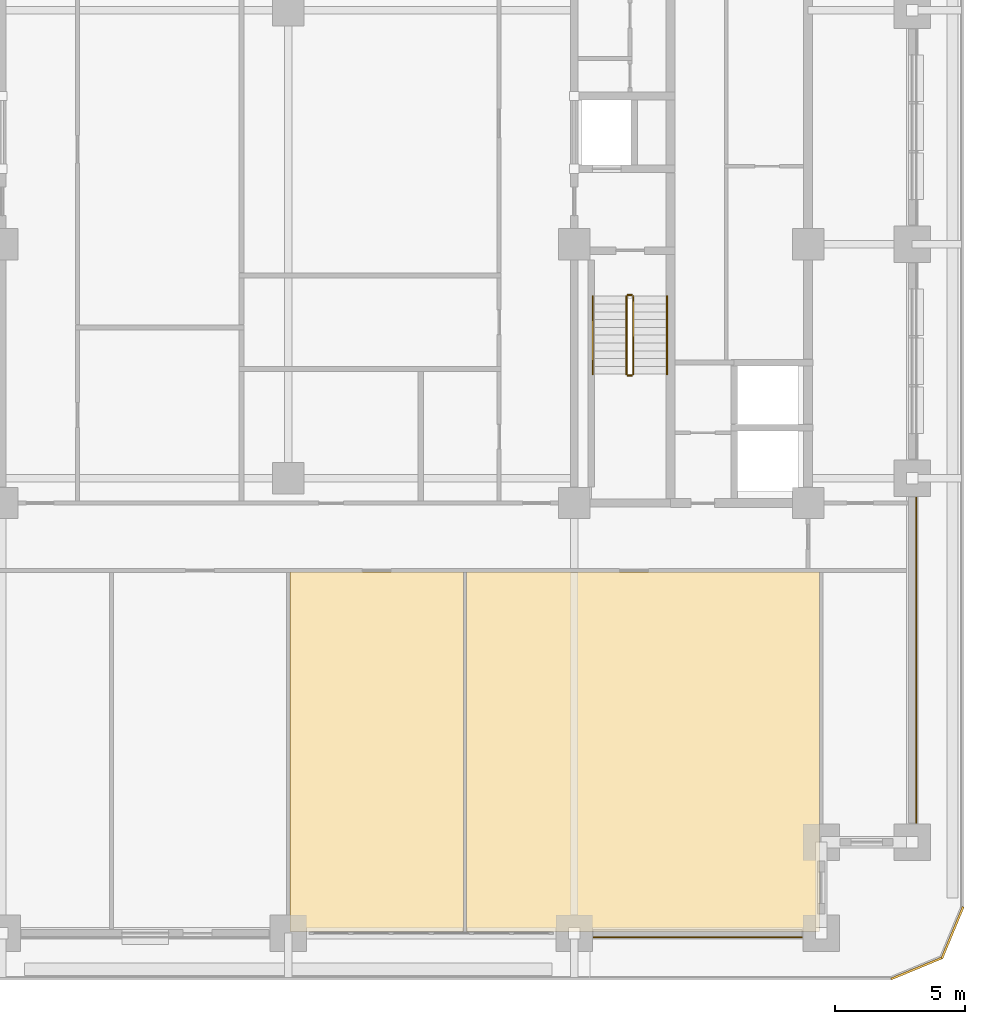
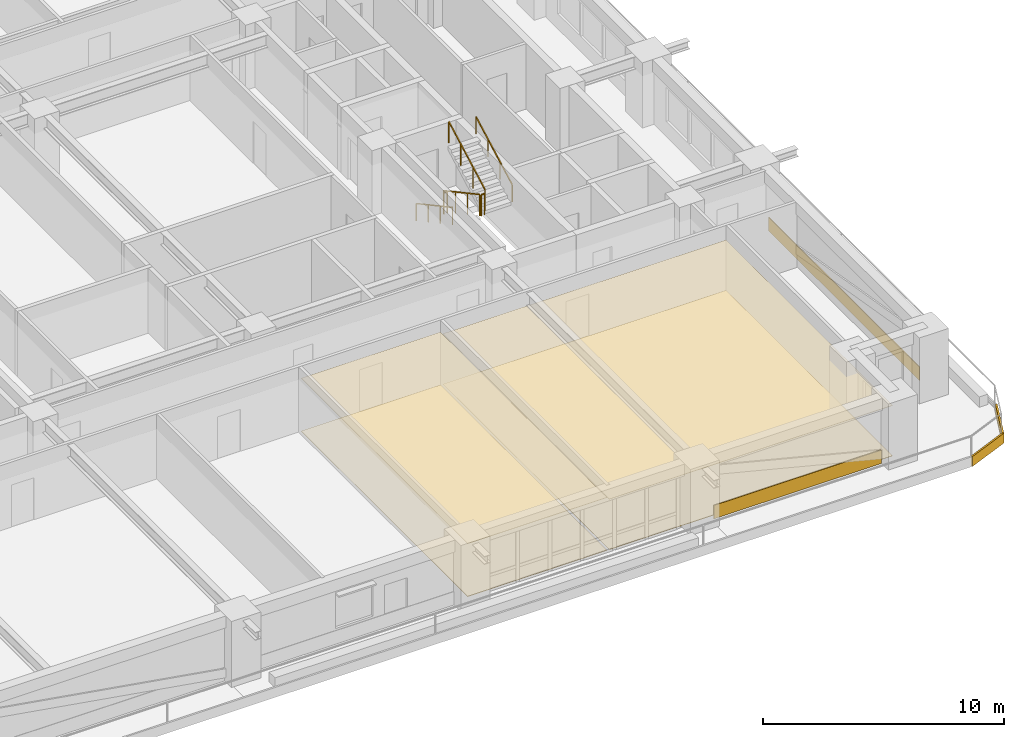
# One storey, part 19 of 20: 8 coverings, 6 railings.
"""IFC4 building model written with IfcOpenShell, lengths in metres."""

from ifc_helpers import new_model, si_unit, direction, frame, frame_2d, origin, origin_2d, place, context, subcontext, project, spatial, polyline, rectangle, outline, extrude, material, layer, layer_set, type_object, element, save


model = new_model("IFC4")

# Units and contexts
model_context = context("Model", 3, precision=1e-05, world=origin(), true_north=direction((0.0, 1.0)))
body_context = subcontext(model_context, "Body", "Model", "MODEL_VIEW")
ifc_project = project(units=[si_unit("LENGTHUNIT", "METRE"), si_unit("AREAUNIT", "SQUARE_METRE"), si_unit("VOLUMEUNIT", "CUBIC_METRE"), si_unit("PLANEANGLEUNIT", "RADIAN"), si_unit("MASSUNIT", "GRAM", prefix="KILO")], contexts=[model_context])

# Site, building, storey
site_placement = place(None, origin())
site = spatial("IfcSite", under=ifc_project, at=site_placement, CompositionType="ELEMENT")
building_placement = place(site_placement, origin())
building = spatial("IfcBuilding", under=site, at=building_placement, Name="Zulmaris Gate Convention Tower", CompositionType="ELEMENT")
storey_placement = place(building_placement, frame((0.0, 0.0, 71.469970703125)))
storey = spatial("IfcBuildingStorey", under=building, at=storey_placement, Name="L17", CompositionType="ELEMENT", Elevation=71.469970703125)

# Coverings
ifc_material_1 = material(Name="Precast concrete C40/50", Category="concrete")
ifc_layer_1 = layer(ifc_material_1, 0.0400390625, Name="Precast concrete C40/50")
ifc_layer_set_1 = layer_set([ifc_layer_1], Name="Precast concrete C40/50")
covering_type_1 = type_object("IfcCoveringType", Name="CLAD-SPANDREL-PRECAST", PredefinedType="CLADDING", material=ifc_layer_set_1)
covering_1_placement = place(storey_placement, frame((11.72998046875, -26.64990234375, 0.0), z_axis=(0.0, 0.0, 1.0), x_axis=(1.0, 0.0, 0.0)))
element("IfcCovering", 1, at=covering_1_placement, inside=storey, type_object=covering_type_1, Name="CLD-L17-S-3_0", PredefinedType="CLADDING", context=body_context, shape_type="SweptSolid", body=[
    extrude(rectangle(XDim=8.0400390625, YDim=0.0400390625, at=frame_2d((4.02001953125, 0.0))), origin(), (0.0, 0.0, 1.0), 0.679931640625),
])
covering_2_placement = place(storey_placement, frame((24.14990234375, -22.27001953125, 0.0), z_axis=(0.0, 0.0, 1.0), x_axis=(0.0, 1.0, 0.0)))
element("IfcCovering", 2, at=covering_2_placement, inside=storey, type_object=covering_type_1, Name="CLD-L17-E-0_0", PredefinedType="CLADDING", context=body_context, shape_type="SweptSolid", body=[
    extrude(rectangle(XDim=12.5400390625, YDim=0.0400390625, at=frame_2d((6.27001953125, 0.0))), origin(), (0.0, 0.0, 1.0), 0.679931640625),
])
ifc_material_2 = material(Name="White Glazed Architectural Precast Concrete C40/50", Category="concrete")
ifc_layer_2 = layer(ifc_material_2, 0.080078125, Name="White Glazed Architectural Precast Concrete C40/50")
ifc_layer_set_2 = layer_set([ifc_layer_2], Name="White Glazed Architectural Precast Concrete C40/50")
covering_type_2 = type_object("IfcCoveringType", Name="CLAD-TRAY-FASCIA", PredefinedType="CLADDING", material=ifc_layer_set_2)
covering_3_placement = place(storey_placement, frame((23.184814453125, -28.262939453125, -0.364990234375), z_axis=(0.0, 0.0, 1.0), x_axis=(0.923873803533, 0.382697263049, 0.0)))
element("IfcCovering", 3, at=covering_3_placement, inside=storey, type_object=covering_type_2, Name="FSC-L17-TR-03", PredefinedType="CLADDING", context=body_context, shape_type="SweptSolid", body=[
    extrude(rectangle(XDim=2.142822265625, YDim=0.080078125, at=frame_2d((1.0712890625, 0.0))), origin(), (0.0, 0.0, 1.0), 0.5),
])
covering_4_placement = place(storey_placement, frame((25.142822265625, -27.464599609375, -0.364990234375), z_axis=(0.0, 0.0, 1.0), x_axis=(0.382656984709, 0.923890487046, 0.0)))
element("IfcCovering", 4, at=covering_4_placement, inside=storey, type_object=covering_type_2, Name="FSC-L17-TR-04", PredefinedType="CLADDING", context=body_context, shape_type="SweptSolid", body=[
    extrude(rectangle(XDim=2.14306640625, YDim=0.080078125, at=frame_2d((1.071533203125, 0.0))), origin(), (0.0, 0.0, 1.0), 0.5),
])
ifc_material_3 = material(Name="Mineral Fibre Acoustic Ceiling Tile")
ifc_layer_3 = layer(ifc_material_3, 0.02001953125, Name="Mineral Fibre Acoustic Ceiling Tile")
ifc_layer_set_3 = layer_set([ifc_layer_3], Name="Mineral Fibre Acoustic Ceiling Tile")
covering_type_3 = type_object("IfcCoveringType", Name="CLG-ACOUSTIC-600", PredefinedType="CEILING", material=ifc_layer_set_3)
covering_5_placement = place(storey_placement, frame((0.0, 0.0, 2.679931640625)))
element("IfcCovering", 5, at=covering_5_placement, inside=storey, type_object=covering_type_3, Name="CLG-L17-R41", PredefinedType="CEILING", context=body_context, shape_type="SweptSolid", body=[
    extrude(outline(polyline([(0.06005859375, -26.43994140625), (6.739990234375, -26.43994140625), (6.739990234375, -12.610107421875), (0.06005859375, -12.610107421875), (0.06005859375, -26.43994140625)])), origin(), (0.0, 0.0, 1.0), 0.02001953125),
])
covering_6_placement = place(storey_placement, frame((0.0, 0.0, 2.552978515625)))
element("IfcCovering", 6, at=covering_6_placement, inside=storey, type_object=covering_type_3, Name="CLG-L17-R42", PredefinedType="CEILING", context=body_context, shape_type="SweptSolid", body=[
    extrude(outline(polyline([(6.860107421875, -26.43994140625), (20.43994140625, -26.43994140625), (20.43994140625, -12.610107421875), (6.860107421875, -12.610107421875), (6.860107421875, -26.43994140625)])), origin(), (0.0, 0.0, 1.0), 0.02001953125),
])
ifc_material_4 = material(Name="Woven Acoustic Wool Carpet Tile")
ifc_layer_4 = layer(ifc_material_4, 0.02001953125, Name="Woven Acoustic Wool Carpet Tile")
ifc_layer_set_4 = layer_set([ifc_layer_4], Name="Woven Acoustic Wool Carpet Tile")
covering_type_4 = type_object("IfcCoveringType", Name="FLR-CARPET-12", PredefinedType="FLOORING", material=ifc_layer_set_4)
covering_7_placement = place(storey_placement, origin())
element("IfcCovering", 7, at=covering_7_placement, inside=storey, type_object=covering_type_4, Name="FLR-L17-R42", PredefinedType="FLOORING", context=body_context, shape_type="SweptSolid", body=[
    extrude(outline(polyline([(6.860107421875, -26.43994140625), (20.43994140625, -26.43994140625), (20.43994140625, -12.610107421875), (6.860107421875, -12.610107421875), (6.860107421875, -26.43994140625)])), origin(), (0.0, 0.0, 1.0), 0.02001953125),
])
ifc_material_5 = material(Name="Engineered Teak Parquet Flooring")
ifc_layer_5 = layer(ifc_material_5, 0.02001953125, Name="Engineered Teak Parquet Flooring")
ifc_layer_set_5 = layer_set([ifc_layer_5], Name="Engineered Teak Parquet Flooring")
covering_type_5 = type_object("IfcCoveringType", Name="FLR-TIMBER-18", PredefinedType="FLOORING", material=ifc_layer_set_5)
covering_8_placement = place(storey_placement, origin())
element("IfcCovering", 8, at=covering_8_placement, inside=storey, type_object=covering_type_5, Name="FLR-L17-R41", PredefinedType="FLOORING", context=body_context, shape_type="SweptSolid", body=[
    extrude(outline(polyline([(0.06005859375, -26.43994140625), (6.739990234375, -26.43994140625), (6.739990234375, -12.610107421875), (0.06005859375, -12.610107421875), (0.06005859375, -26.43994140625)])), origin(), (0.0, 0.0, 1.0), 0.02001953125),
])

# Railings
ifc_material_6 = material(Name="Painted Galvanised Steel", Category="steel")
railing_type_1 = type_object("IfcRailingType", Name="RL-STG-1150", PredefinedType="GUARDRAIL", material=ifc_material_6)
railing_1_placement = place(storey_placement, frame((13.010009765625, -2.0, 0.162353515625)))
element("IfcRailing", 9, at=railing_1_placement, inside=storey, type_object=railing_type_1, Name="L17 ST-2 stair guard 1", PredefinedType="GUARDRAIL", context=body_context, shape_type="SweptSolid", body=[
    extrude(rectangle(XDim=0.048095703125, YDim=0.048095703125, at=origin_2d()), frame((0.0, 0.0, 1.076171875), z_axis=(0.0, -0.879591569277, 0.475729619907), x_axis=(1.0, 0.0, 0.0)), (0.0, 0.0, 1.0), 3.41064453125),
    extrude(rectangle(XDim=0.0419921875, YDim=0.0419921875, at=origin_2d()), origin(), (0.0, 0.0, 1.0), 1.052001953125),
    extrude(rectangle(XDim=0.0419921875, YDim=0.0419921875, at=origin_2d()), frame((0.0, -1.0, 0.540771484375)), (0.0, 0.0, 1.0), 1.052001953125),
    extrude(rectangle(XDim=0.0419921875, YDim=0.0419921875, at=origin_2d()), frame((0.0, -2.0, 1.081787109375)), (0.0, 0.0, 1.0), 1.052001953125),
    extrude(rectangle(XDim=0.0419921875, YDim=0.0419921875, at=origin_2d()), frame((0.0, -3.0, 1.62255859375)), (0.0, 0.0, 1.0), 1.052001953125),
])
railing_2_placement = place(storey_placement, frame((13.06005859375, -5.050048828125, 1.784912109375)))
element("IfcRailing", 10, at=railing_2_placement, inside=storey, type_object=railing_type_1, Name="L17 ST-2 stair guard 2", PredefinedType="GUARDRAIL", context=body_context, shape_type="SweptSolid", body=[
    extrude(rectangle(XDim=0.048095703125, YDim=0.048095703125, at=origin_2d()), frame((0.0, 0.0, 1.076171875), z_axis=(1.0, 0.0, 0.0), x_axis=(0.0, 1.0, 0.0)), (0.0, 0.0, 1.0), 0.159912109375),
    extrude(rectangle(XDim=0.0419921875, YDim=0.0419921875, at=origin_2d()), origin(), (0.0, 0.0, 1.0), 1.052001953125),
    extrude(rectangle(XDim=0.0419921875, YDim=0.0419921875, at=origin_2d()), frame((0.159912109375, 0.0, 0.0)), (0.0, 0.0, 1.0), 1.052001953125),
])
railing_3_placement = place(storey_placement, frame((13.27001953125, -5.0, 1.947265625)))
element("IfcRailing", 11, at=railing_3_placement, inside=storey, type_object=railing_type_1, Name="L17 ST-2 stair guard 3", PredefinedType="GUARDRAIL", context=body_context, shape_type="SweptSolid", body=[
    extrude(rectangle(XDim=0.048095703125, YDim=0.048095703125, at=origin_2d()), frame((0.0, 0.0, 1.076171875), z_axis=(0.0, 0.8795616155, 0.475784998228), x_axis=(-1.0, 0.0, 0.0)), (0.0, 0.0, 1.0), 3.410888671875),
    extrude(rectangle(XDim=0.0419921875, YDim=0.0419921875, at=origin_2d()), origin(), (0.0, 0.0, 1.0), 1.052001953125),
    extrude(rectangle(XDim=0.0419921875, YDim=0.0419921875, at=origin_2d()), frame((0.0, 1.0, 0.541015625)), (0.0, 0.0, 1.0), 1.052001953125),
    extrude(rectangle(XDim=0.0419921875, YDim=0.0419921875, at=origin_2d()), frame((0.0, 2.0, 1.081787109375)), (0.0, 0.0, 1.0), 1.052001953125),
    extrude(rectangle(XDim=0.0419921875, YDim=0.0419921875, at=origin_2d()), frame((0.0, 3.0, 1.622802734375)), (0.0, 0.0, 1.0), 1.052001953125),
])
railing_4_placement = place(storey_placement, frame((13.06005859375, -1.949951171875, 0.0)))
element("IfcRailing", 12, at=railing_4_placement, inside=storey, type_object=railing_type_1, Name="L17 ST-2 stair guard 4", PredefinedType="GUARDRAIL", context=body_context, shape_type="SweptSolid", body=[
    extrude(rectangle(XDim=0.048095703125, YDim=0.048095703125, at=origin_2d()), frame((0.0, 0.0, 1.076171875), z_axis=(1.0, 0.0, 0.0), x_axis=(0.0, 1.0, 0.0)), (0.0, 0.0, 1.0), 0.159912109375),
    extrude(rectangle(XDim=0.0419921875, YDim=0.0419921875, at=origin_2d()), origin(), (0.0, 0.0, 1.0), 1.052001953125),
    extrude(rectangle(XDim=0.0419921875, YDim=0.0419921875, at=origin_2d()), frame((0.159912109375, 0.0, 0.0)), (0.0, 0.0, 1.0), 1.052001953125),
])
ifc_material_7 = material(Name="Brushed Stainless Steel", Category="steel")
railing_type_2 = type_object("IfcRailingType", Name="RL-STH-900", PredefinedType="HANDRAIL", material=ifc_material_7)
railing_5_placement = place(storey_placement, frame((11.7099609375, -2.0, 0.162353515625)))
element("IfcRailing", 13, at=railing_5_placement, inside=storey, type_object=railing_type_2, Name="L17 ST-2 stair handrail 1", PredefinedType="HANDRAIL", context=body_context, shape_type="SweptSolid", body=[
    extrude(rectangle(XDim=0.048095703125, YDim=0.048095703125, at=origin_2d()), frame((0.0, 0.0, 0.8759765625), z_axis=(0.0, -0.879591569277, 0.475729619907), x_axis=(1.0, 0.0, 0.0)), (0.0, 0.0, 1.0), 3.41064453125),
    extrude(rectangle(XDim=0.0419921875, YDim=0.0419921875, at=origin_2d()), origin(), (0.0, 0.0, 1.0), 0.851806640625),
    extrude(rectangle(XDim=0.0419921875, YDim=0.0419921875, at=origin_2d()), frame((0.0, -1.0, 0.540771484375)), (0.0, 0.0, 1.0), 0.851806640625),
    extrude(rectangle(XDim=0.0419921875, YDim=0.0419921875, at=origin_2d()), frame((0.0, -2.0, 1.081787109375)), (0.0, 0.0, 1.0), 0.851806640625),
    extrude(rectangle(XDim=0.0419921875, YDim=0.0419921875, at=origin_2d()), frame((0.0, -3.0, 1.62255859375)), (0.0, 0.0, 1.0), 0.851806640625),
])
railing_6_placement = place(storey_placement, frame((14.570068359375, -5.0, 1.947265625)))
element("IfcRailing", 14, at=railing_6_placement, inside=storey, type_object=railing_type_2, Name="L17 ST-2 stair handrail 2", PredefinedType="HANDRAIL", context=body_context, shape_type="SweptSolid", body=[
    extrude(rectangle(XDim=0.048095703125, YDim=0.048095703125, at=origin_2d()), frame((0.0, 0.0, 0.8759765625), z_axis=(0.0, 0.8795616155, 0.475784998228), x_axis=(-1.0, 0.0, 0.0)), (0.0, 0.0, 1.0), 3.410888671875),
    extrude(rectangle(XDim=0.0419921875, YDim=0.0419921875, at=origin_2d()), origin(), (0.0, 0.0, 1.0), 0.851806640625),
    extrude(rectangle(XDim=0.0419921875, YDim=0.0419921875, at=origin_2d()), frame((0.0, 1.0, 0.541015625)), (0.0, 0.0, 1.0), 0.851806640625),
    extrude(rectangle(XDim=0.0419921875, YDim=0.0419921875, at=origin_2d()), frame((0.0, 2.0, 1.081787109375)), (0.0, 0.0, 1.0), 0.851806640625),
    extrude(rectangle(XDim=0.0419921875, YDim=0.0419921875, at=origin_2d()), frame((0.0, 3.0, 1.622802734375)), (0.0, 0.0, 1.0), 0.851806640625),
])

save(model, "model.ifc")
